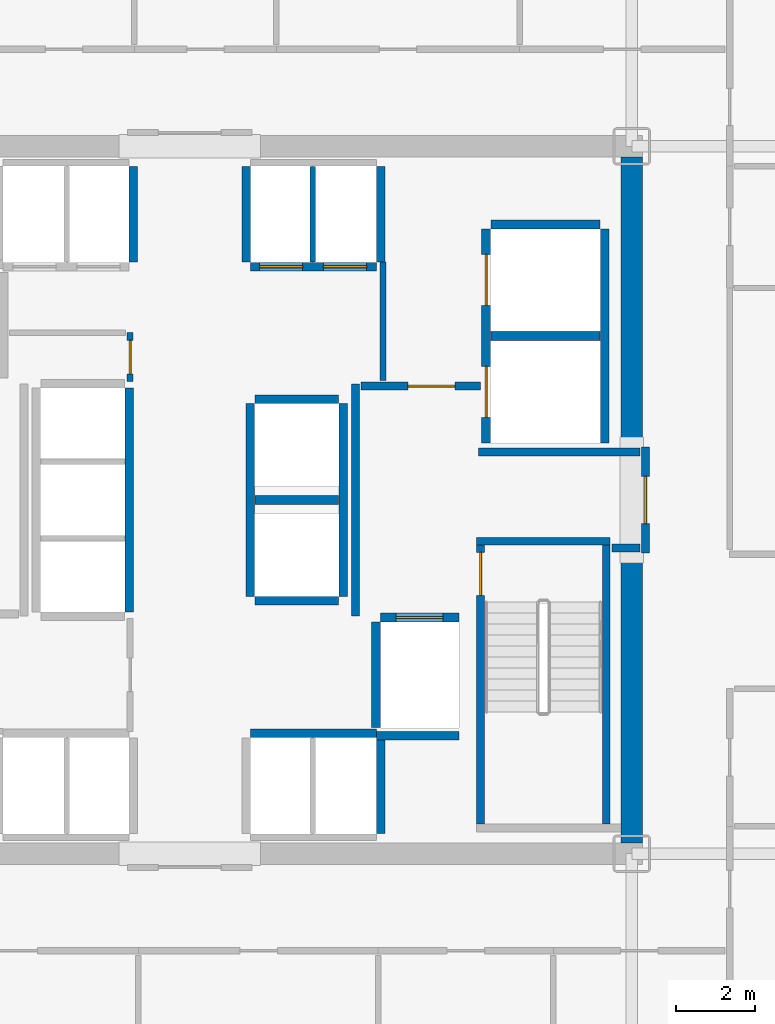
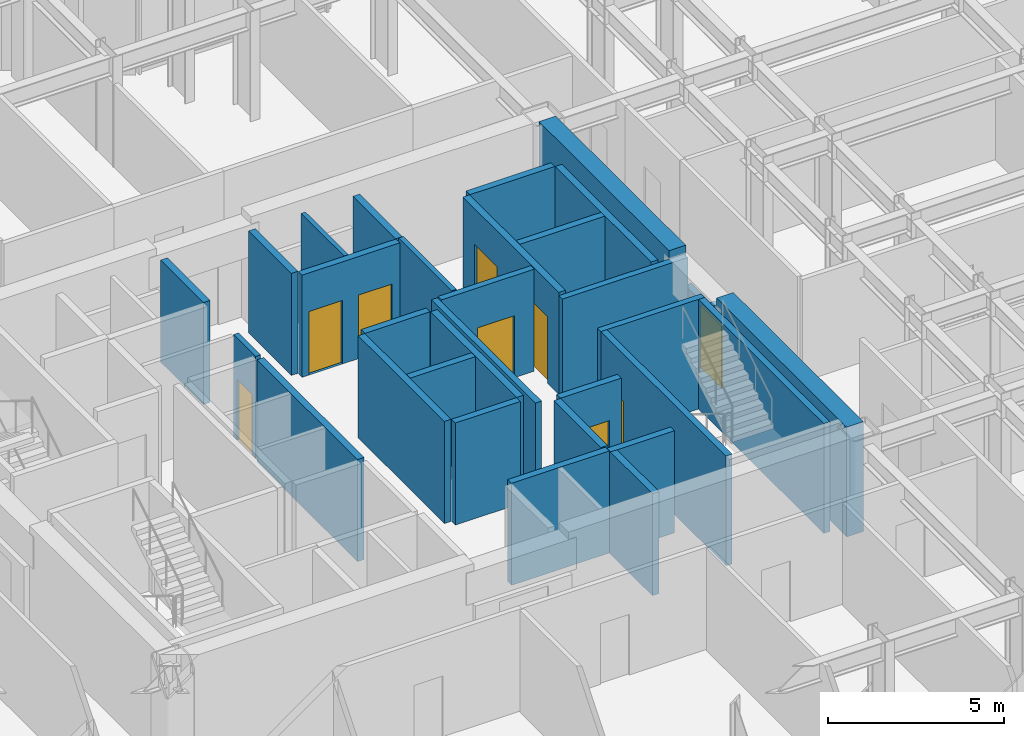
# One storey, part 22 of 26: 32 walls, 9 doors, 9 openings.
"""IFC4 building model written with IfcOpenShell, lengths in metres."""

from ifc_helpers import new_model, si_unit, direction, frame, frame_2d, origin, place, context, subcontext, project, spatial, rectangle, extrude, source, transform, mapped, material, layer, layer_set, type_object, element, fill, save


model = new_model("IFC4")

# Units and contexts
model_context = context("Model", 3, precision=1e-05, world=origin(), true_north=direction((0.0, 1.0)))
body_context = subcontext(model_context, "Body", "Model", "MODEL_VIEW")
ifc_project = project(units=[si_unit("LENGTHUNIT", "METRE"), si_unit("AREAUNIT", "SQUARE_METRE"), si_unit("VOLUMEUNIT", "CUBIC_METRE"), si_unit("PLANEANGLEUNIT", "RADIAN"), si_unit("MASSUNIT", "GRAM", prefix="KILO")], contexts=[model_context])

# Site, building, storey
site_placement = place(None, origin())
site = spatial("IfcSite", under=ifc_project, at=site_placement, CompositionType="ELEMENT")
building_placement = place(site_placement, origin())
building = spatial("IfcBuilding", under=site, at=building_placement, Name="Nefas-Gora Pilgrimage Tower", CompositionType="ELEMENT")
storey_placement = place(building_placement, frame((0.0, 0.0, 128.800048828125)))
storey = spatial("IfcBuildingStorey", under=building, at=storey_placement, Name="L31", CompositionType="ELEMENT", Elevation=128.800048828125)

# Walls
ifc_material_1 = material(Name="Concrete C60/75", Category="concrete")
ifc_layer_1 = layer(ifc_material_1, 0.550048828125)
ifc_layer_set_1 = layer_set([ifc_layer_1], Name="Concrete C60/75")
wall_type_1 = type_object("IfcWallType", Name="SW-CORE-550", PredefinedType="SHEAR", material=ifc_layer_set_1)
shared_shape_1 = source(origin(), body_context, "Body", "SweptSolid", [
    extrude(rectangle(XDim=7.375, YDim=0.550048828125, at=frame_2d((3.6875, 0.0))), origin(), (0.0, 0.0, 1.0), 3.800048828125),
])
for number, where, z_axis, x_axis, name in (
    (1, (11.25, -8.72509765625, 0.0), (0.0, 0.0, 1.0), (0.0, 1.0, 0.0), "L31 Core Shear Wall E-South"),
    (2, (11.25, 1.35009765625, 0.0), (0.0, 0.0, 1.0), (0.0, 1.0, 0.0), "L31 Core Shear Wall E-North"),
):
    element("IfcWall", number, at=place(storey_placement, frame(where, z_axis=z_axis, x_axis=x_axis)), inside=storey, type_object=wall_type_1, Name=name, PredefinedType="SHEAR", context=body_context, shape_type="MappedRepresentation", body=[
        mapped(shared_shape_1, transform((0.0, 0.0, 0.0), x_axis=(1.0, 0.0, 0.0), y_axis=(0.0, 1.0, 0.0), z_axis=(0.0, 0.0, 1.0), scale=1.0)),
    ])
ifc_material_2 = material(Name="Concrete C45/55", Category="concrete")
ifc_layer_2 = layer(ifc_material_2, 0.199951171875)
ifc_layer_set_2 = layer_set([ifc_layer_2], Name="Concrete C45/55")
wall_type_2 = type_object("IfcWallType", Name="IW-STAIR-200", PredefinedType="SOLIDWALL", material=ifc_layer_set_2)
shared_shape_2 = source(origin(), body_context, "Body", "SweptSolid", [
    extrude(rectangle(XDim=3.39990234375, YDim=0.199951171875, at=frame_2d((1.699951171875, 0.0))), origin(), (0.0, 0.0, 1.0), 3.800048828125),
])
wall_1_placement = place(storey_placement, frame((7.300048828125, -1.050048828125, 0.0), z_axis=(0.0, 0.0, 1.0), x_axis=(1.0, 0.0, 0.0)))
element("IfcWall", 3, at=wall_1_placement, inside=storey, type_object=wall_type_2, Name="L31 Stairwell Shear Wall ST-02-near", PredefinedType="SOLIDWALL", context=body_context, shape_type="MappedRepresentation", body=[
    mapped(shared_shape_2, transform((0.0, 0.0, 0.0), x_axis=(1.0, 0.0, 0.0), y_axis=(0.0, 1.0, 0.0), z_axis=(0.0, 0.0, 1.0), scale=1.0)),
])

# Wall, opening, door
shared_shape_3 = source(origin(), body_context, "Body", "SweptSolid", [
    extrude(rectangle(XDim=7.10009765625, YDim=0.199951171875, at=frame_2d((3.550048828125, 0.0))), origin(), (0.0, 0.0, 1.0), 3.800048828125),
])
wall_2_placement = place(storey_placement, frame((7.39990234375, -1.14990234375, 0.0), z_axis=(0.0, 0.0, 1.0), x_axis=(0.0, -1.0, 0.0)))
wall_2 = element("IfcWall", 4, at=wall_2_placement, inside=storey, type_object=wall_type_2, Name="L31 Stairwell Shear Wall ST-02-left", PredefinedType="SOLIDWALL", context=body_context, shape_type="MappedRepresentation", body=[
    mapped(shared_shape_3, transform((0.0, 0.0, 0.0), x_axis=(1.0, 0.0, 0.0), y_axis=(0.0, 1.0, 0.0), z_axis=(0.0, 0.0, 1.0), scale=1.0)),
])
opening_1_placement = place(wall_2_placement, frame((0.179931640625, 0.0, 0.0)))
opening_1 = element("IfcOpeningElement", 5, at=opening_1_placement, cuts=wall_2, Name="Opening ID-ST1", PredefinedType="OPENING", context=body_context, shape_type="SweptSolid", body=[
    extrude(rectangle(XDim=1.10009765625, YDim=2.14990234375, at=frame_2d((0.550048828125, 1.074951171875))), frame((0.0, 0.10986328125, 0.0), z_axis=(0.0, -1.0, 0.0), x_axis=(1.0, 0.0, 0.0)), (0.0, 0.0, 1.0), 0.219970703125),
])
ifc_material_3 = material(Name="Painted galvanised steel fire stair door", Category="steel")
door_type_1 = type_object("IfcDoorType", Name="DR-INT-STAIR-1100", OperationType="NOTDEFINED", PredefinedType="DOOR", material=ifc_material_3)
shared_shape_4 = source(origin(), body_context, "Body", "SweptSolid", [
    extrude(rectangle(XDim=1.10009765625, YDim=2.14990234375, at=frame_2d((0.550048828125, 1.074951171875))), frame((0.0, 0.02490234375, 0.0), z_axis=(0.0, -1.0, 0.0), x_axis=(1.0, 0.0, 0.0)), (0.0, 0.0, 1.0), 0.050048828125),
])
door_1_placement = place(opening_1_placement, origin())
door_1 = element("IfcDoor", 6, at=door_1_placement, inside=storey, type_object=door_type_1, Name="L31 Protected Exit Stair Door ST-02", OperationType="SINGLE_SWING_RIGHT", OverallHeight=2.14990234375, OverallWidth=1.10009765625, PredefinedType="DOOR", context=body_context, shape_type="MappedRepresentation", body=[
    mapped(shared_shape_4, transform((0.0, 0.0, 0.0), x_axis=(1.0, 0.0, 0.0), y_axis=(0.0, 1.0, 0.0), z_axis=(0.0, 0.0, 1.0), scale=1.0)),
])
fill(opening_1, door_1)

# Wall
wall_3_placement = place(storey_placement, frame((10.60009765625, -1.14990234375, 0.0), z_axis=(0.0, 0.0, 1.0), x_axis=(0.0, -1.0, 0.0)))
element("IfcWall", 7, at=wall_3_placement, inside=storey, type_object=wall_type_2, Name="L31 Stairwell Shear Wall ST-02-right", PredefinedType="SOLIDWALL", context=body_context, shape_type="MappedRepresentation", body=[
    mapped(shared_shape_3, transform((0.0, 0.0, 0.0), x_axis=(1.0, 0.0, 0.0), y_axis=(0.0, 1.0, 0.0), z_axis=(0.0, 0.0, 1.0), scale=1.0)),
])

# Wall, opening, door
ifc_material_4 = material(Name="Concrete C40/50", Category="concrete")
ifc_layer_3 = layer(ifc_material_4, 0.219970703125)
ifc_layer_set_3 = layer_set([ifc_layer_3], Name="Concrete C40/50")
wall_type_3 = type_object("IfcWallType", Name="IW-SHAFT-220", PredefinedType="SOLIDWALL", material=ifc_layer_set_3)
shared_shape_5 = source(origin(), body_context, "Body", "SweptSolid", [
    extrude(rectangle(XDim=2.0, YDim=0.219970703125, at=frame_2d((1.0, 0.0))), origin(), (0.0, 0.0, 1.0), 3.534912109375),
])
wall_4_placement = place(storey_placement, frame((6.85009765625, -2.989990234375, 0.0), z_axis=(0.0, 0.0, 1.0), x_axis=(-1.0, 0.0, 0.0)))
wall_4 = element("IfcWall", 8, at=wall_4_placement, inside=storey, type_object=wall_type_3, Name="L31 Hoistway Wall FFL-02-N", PredefinedType="SOLIDWALL", context=body_context, shape_type="MappedRepresentation", body=[
    mapped(shared_shape_5, transform((0.0, 0.0, 0.0), x_axis=(1.0, 0.0, 0.0), y_axis=(0.0, 1.0, 0.0), z_axis=(0.0, 0.0, 1.0), scale=1.0)),
])
opening_2_placement = place(wall_4_placement, frame((0.39990234375, 0.0, 0.0)))
opening_2 = element("IfcOpeningElement", 9, at=opening_2_placement, cuts=wall_4, Name="Opening LD-FF", PredefinedType="OPENING", context=body_context, shape_type="SweptSolid", body=[
    extrude(rectangle(XDim=1.199951171875, YDim=2.199951171875, at=frame_2d((0.60009765625, 1.10009765625))), frame((0.0, 0.119873046875, 0.0), z_axis=(0.0, -1.0, 0.0), x_axis=(1.0, 0.0, 0.0)), (0.0, 0.0, 1.0), 0.239990234375),
])
ifc_material_5 = material(Name="Fire-service sliding lift landing door")
door_type_2 = type_object("IfcDoorType", Name="DR-LIFT-FSAE-1200", OperationType="SLIDING_TO_LEFT", PredefinedType="DOOR", material=ifc_material_5)
shared_shape_6 = source(origin(), body_context, "Body", "SweptSolid", [
    extrude(rectangle(XDim=1.199951171875, YDim=2.199951171875, at=frame_2d((0.60009765625, 1.10009765625))), frame((0.0, 0.02490234375, 0.0), z_axis=(0.0, -1.0, 0.0), x_axis=(1.0, 0.0, 0.0)), (0.0, 0.0, 1.0), 0.050048828125),
])
door_2_placement = place(opening_2_placement, origin())
door_2 = element("IfcDoor", 10, at=door_2_placement, inside=storey, type_object=door_type_2, Name="L31 Sliding Lift Landing Door FFL-02", OperationType="SLIDING_TO_LEFT", OverallHeight=2.199951171875, OverallWidth=1.199951171875, PredefinedType="DOOR", context=body_context, shape_type="MappedRepresentation", body=[
    mapped(shared_shape_6, transform((0.0, 0.0, 0.0), x_axis=(1.0, 0.0, 0.0), y_axis=(0.0, 1.0, 0.0), z_axis=(0.0, 0.0, 1.0), scale=1.0)),
])
fill(opening_2, door_2)

# Wall
shared_shape_7 = source(origin(), body_context, "Body", "SweptSolid", [
    extrude(rectangle(XDim=2.679931640625, YDim=0.219970703125, at=frame_2d((1.33984375, 0.0))), origin(), (0.0, 0.0, 1.0), 3.534912109375),
])
wall_5_placement = place(storey_placement, frame((4.739990234375, -3.110107421875, 0.0), z_axis=(0.0, 0.0, 1.0), x_axis=(0.0, -1.0, 0.0)))
element("IfcWall", 11, at=wall_5_placement, inside=storey, type_object=wall_type_3, Name="L31 Hoistway Wall FFL-02-W", PredefinedType="SOLIDWALL", context=body_context, shape_type="MappedRepresentation", body=[
    mapped(shared_shape_7, transform((0.0, 0.0, 0.0), x_axis=(1.0, 0.0, 0.0), y_axis=(0.0, 1.0, 0.0), z_axis=(0.0, 0.0, 1.0), scale=1.0)),
])

# Wall, openings, doors
shared_shape_8 = source(origin(), body_context, "Body", "SweptSolid", [
    extrude(rectangle(XDim=5.449951171875, YDim=0.219970703125, at=frame_2d((2.72509765625, 0.0))), origin(), (0.0, 0.0, 1.0), 3.534912109375),
])
wall_6_placement = place(storey_placement, frame((7.5400390625, 6.89990234375, 0.0), z_axis=(0.0, 0.0, 1.0), x_axis=(0.0, -1.0, 0.0)))
wall_6 = element("IfcWall", 12, at=wall_6_placement, inside=storey, type_object=wall_type_3, Name="L31 Hoistway Wall SL-01-02-W", PredefinedType="SOLIDWALL", context=body_context, shape_type="MappedRepresentation", body=[
    mapped(shared_shape_8, transform((0.0, 0.0, 0.0), x_axis=(1.0, 0.0, 0.0), y_axis=(0.0, 1.0, 0.0), z_axis=(0.0, 0.0, 1.0), scale=1.0)),
])
opening_3_placement = place(wall_6_placement, frame((3.5, 0.0, 0.0)))
opening_3 = element("IfcOpeningElement", 13, at=opening_3_placement, cuts=wall_6, Name="Opening LD-SV", PredefinedType="OPENING", context=body_context, shape_type="SweptSolid", body=[
    extrude(rectangle(XDim=1.300048828125, YDim=2.300048828125, at=frame_2d((0.64990234375, 1.14990234375))), frame((0.0, 0.119873046875, 0.0), z_axis=(0.0, -1.0, 0.0), x_axis=(1.0, 0.0, 0.0)), (0.0, 0.0, 1.0), 0.239990234375),
])
opening_4_placement = place(wall_6_placement, frame((0.64990234375, 0.0, 0.0)))
opening_4 = element("IfcOpeningElement", 14, at=opening_4_placement, cuts=wall_6, Name="Opening LD-SV", PredefinedType="OPENING", context=body_context, shape_type="SweptSolid", body=[
    extrude(rectangle(XDim=1.300048828125, YDim=2.300048828125, at=frame_2d((0.64990234375, 1.14990234375))), frame((0.0, 0.119873046875, 0.0), z_axis=(0.0, -1.0, 0.0), x_axis=(1.0, 0.0, 0.0)), (0.0, 0.0, 1.0), 0.239990234375),
])
ifc_material_6 = material(Name="Heavy goods sliding lift landing door")
door_type_3 = type_object("IfcDoorType", Name="DR-LIFT-SERV-1300", OperationType="SLIDING_TO_RIGHT", PredefinedType="DOOR", material=ifc_material_6)
shared_shape_9 = source(origin(), body_context, "Body", "SweptSolid", [
    extrude(rectangle(XDim=1.300048828125, YDim=2.300048828125, at=frame_2d((0.64990234375, 1.14990234375))), frame((0.0, 0.02490234375, 0.0), z_axis=(0.0, -1.0, 0.0), x_axis=(1.0, 0.0, 0.0)), (0.0, 0.0, 1.0), 0.050048828125),
])
door_3_placement = place(opening_3_placement, origin())
door_3 = element("IfcDoor", 15, at=door_3_placement, inside=storey, type_object=door_type_3, Name="L31 Sliding Lift Landing Door SL-01", OperationType="SLIDING_TO_RIGHT", OverallHeight=2.300048828125, OverallWidth=1.300048828125, PredefinedType="DOOR", context=body_context, shape_type="MappedRepresentation", body=[
    mapped(shared_shape_9, transform((0.0, 0.0, 0.0), x_axis=(1.0, 0.0, 0.0), y_axis=(0.0, 1.0, 0.0), z_axis=(0.0, 0.0, 1.0), scale=1.0)),
])
fill(opening_3, door_3)
door_4_placement = place(opening_4_placement, origin())
door_4 = element("IfcDoor", 16, at=door_4_placement, inside=storey, type_object=door_type_3, Name="L31 Sliding Lift Landing Door SL-02", OperationType="SLIDING_TO_RIGHT", OverallHeight=2.300048828125, OverallWidth=1.300048828125, PredefinedType="DOOR", context=body_context, shape_type="MappedRepresentation", body=[
    mapped(shared_shape_9, transform((0.0, 0.0, 0.0), x_axis=(1.0, 0.0, 0.0), y_axis=(0.0, 1.0, 0.0), z_axis=(0.0, 0.0, 1.0), scale=1.0)),
])
fill(opening_4, door_4)

# Walls
wall_7_placement = place(storey_placement, frame((10.56005859375, 1.449951171875, 0.0), z_axis=(0.0, 0.0, 1.0), x_axis=(0.0, 1.0, 0.0)))
element("IfcWall", 17, at=wall_7_placement, inside=storey, type_object=wall_type_3, Name="L31 Hoistway Wall SL-01-02-E", PredefinedType="SOLIDWALL", context=body_context, shape_type="MappedRepresentation", body=[
    mapped(shared_shape_8, transform((0.0, 0.0, 0.0), x_axis=(1.0, 0.0, 0.0), y_axis=(0.0, 1.0, 0.0), z_axis=(0.0, 0.0, 1.0), scale=1.0)),
])
shared_shape_10 = source(origin(), body_context, "Body", "SweptSolid", [
    extrude(rectangle(XDim=2.780029296875, YDim=0.219970703125, at=frame_2d((1.39013671875, 0.0))), origin(), (0.0, 0.0, 1.0), 3.534912109375),
])
for number, where, z_axis, x_axis, name in (
    (18, (7.659912109375, 4.175048828125, 0.0), (0.0, 0.0, 1.0), (1.0, 0.0, 0.0), "L31 Hoistway Wall SL-01-02-DIV"),
    (19, (10.43994140625, 7.010009765625, 0.0), (0.0, 0.0, 1.0), (-1.0, 0.0, 0.0), "L31 Hoistway Wall SL-02-N"),
):
    element("IfcWall", number, at=place(storey_placement, frame(where, z_axis=z_axis, x_axis=x_axis)), inside=storey, type_object=wall_type_3, Name=name, PredefinedType="SOLIDWALL", context=body_context, shape_type="MappedRepresentation", body=[
        mapped(shared_shape_10, transform((0.0, 0.0, 0.0), x_axis=(1.0, 0.0, 0.0), y_axis=(0.0, 1.0, 0.0), z_axis=(0.0, 0.0, 1.0), scale=1.0)),
    ])

# Wall, openings, doors
shared_shape_11 = source(origin(), body_context, "Body", "SweptSolid", [
    extrude(rectangle(XDim=3.199951171875, YDim=0.219970703125, at=frame_2d((1.60009765625, 0.0))), origin(), (0.0, 0.0, 1.0), 3.534912109375),
])
wall_8_placement = place(storey_placement, frame((1.550048828125, 5.93994140625, 0.0), z_axis=(0.0, 0.0, 1.0), x_axis=(1.0, 0.0, 0.0)))
wall_8 = element("IfcWall", 20, at=wall_8_placement, inside=storey, type_object=wall_type_3, Name="L31 Hoistway Wall PL1-E-S", PredefinedType="SOLIDWALL", context=body_context, shape_type="MappedRepresentation", body=[
    mapped(shared_shape_11, transform((0.0, 0.0, 0.0), x_axis=(1.0, 0.0, 0.0), y_axis=(0.0, 1.0, 0.0), z_axis=(0.0, 0.0, 1.0), scale=1.0)),
])
opening_5_placement = place(wall_8_placement, frame((0.22509765625, 0.0, 0.0)))
opening_5 = element("IfcOpeningElement", 21, at=opening_5_placement, cuts=wall_8, Name="Opening LD-01", PredefinedType="OPENING", context=body_context, shape_type="SweptSolid", body=[
    extrude(rectangle(XDim=1.10009765625, YDim=2.199951171875, at=frame_2d((0.550048828125, 1.10009765625))), frame((0.0, 0.119873046875, 0.0), z_axis=(0.0, -1.0, 0.0), x_axis=(1.0, 0.0, 0.0)), (0.0, 0.0, 1.0), 0.239990234375),
])
opening_6_placement = place(wall_8_placement, frame((1.85009765625, 0.0, 0.0)))
opening_6 = element("IfcOpeningElement", 22, at=opening_6_placement, cuts=wall_8, Name="Opening LD-01", PredefinedType="OPENING", context=body_context, shape_type="SweptSolid", body=[
    extrude(rectangle(XDim=1.10009765625, YDim=2.199951171875, at=frame_2d((0.550048828125, 1.10009765625))), frame((0.0, 0.119873046875, 0.0), z_axis=(0.0, -1.0, 0.0), x_axis=(1.0, 0.0, 0.0)), (0.0, 0.0, 1.0), 0.239990234375),
])
ifc_material_7 = material(Name="Brushed stainless sliding lift landing door")
door_type_4 = type_object("IfcDoorType", Name="DR-LIFT-PASS-1100", OperationType="DOUBLE_DOOR_SLIDING", PredefinedType="DOOR", material=ifc_material_7)
shared_shape_12 = source(origin(), body_context, "Body", "SweptSolid", [
    extrude(rectangle(XDim=1.10009765625, YDim=2.199951171875, at=frame_2d((0.550048828125, 1.10009765625))), frame((0.0, 0.02490234375, 0.0), z_axis=(0.0, -1.0, 0.0), x_axis=(1.0, 0.0, 0.0)), (0.0, 0.0, 1.0), 0.050048828125),
])
door_5_placement = place(opening_5_placement, origin())
door_5 = element("IfcDoor", 23, at=door_5_placement, inside=storey, type_object=door_type_4, Name="L31 Sliding Lift Landing Door PL1-03", OperationType="DOUBLE_DOOR_SLIDING", OverallHeight=2.199951171875, OverallWidth=1.10009765625, PredefinedType="DOOR", context=body_context, shape_type="MappedRepresentation", body=[
    mapped(shared_shape_12, transform((0.0, 0.0, 0.0), x_axis=(1.0, 0.0, 0.0), y_axis=(0.0, 1.0, 0.0), z_axis=(0.0, 0.0, 1.0), scale=1.0)),
])
fill(opening_5, door_5)
door_6_placement = place(opening_6_placement, origin())
door_6 = element("IfcDoor", 24, at=door_6_placement, inside=storey, type_object=door_type_4, Name="L31 Sliding Lift Landing Door PL1-04", OperationType="DOUBLE_DOOR_SLIDING", OverallHeight=2.199951171875, OverallWidth=1.10009765625, PredefinedType="DOOR", context=body_context, shape_type="MappedRepresentation", body=[
    mapped(shared_shape_12, transform((0.0, 0.0, 0.0), x_axis=(1.0, 0.0, 0.0), y_axis=(0.0, 1.0, 0.0), z_axis=(0.0, 0.0, 1.0), scale=1.0)),
])
fill(opening_6, door_6)

# Walls
wall_9_placement = place(storey_placement, frame((4.75, -5.93994140625, 0.0), z_axis=(0.0, 0.0, 1.0), x_axis=(-1.0, 0.0, 0.0)))
element("IfcWall", 25, at=wall_9_placement, inside=storey, type_object=wall_type_3, Name="L31 Hoistway Wall PL2-E-N", PredefinedType="SOLIDWALL", context=body_context, shape_type="MappedRepresentation", body=[
    mapped(shared_shape_11, transform((0.0, 0.0, 0.0), x_axis=(1.0, 0.0, 0.0), y_axis=(0.0, 1.0, 0.0), z_axis=(0.0, 0.0, 1.0), scale=1.0)),
])
shared_shape_13 = source(origin(), body_context, "Body", "SweptSolid", [
    extrude(rectangle(XDim=2.429931640625, YDim=0.219970703125, at=frame_2d((1.21484375, 0.0))), origin(), (0.0, 0.0, 1.0), 3.534912109375),
])
for number, where, z_axis, x_axis, name in (
    (26, (-1.43994140625, 6.06005859375, 0.0), (0.0, 0.0, 1.0), (0.0, 1.0, 0.0), "L31 Hoistway Wall PL1-W-E"),
    (27, (1.43994140625, 8.489990234375, 0.0), (0.0, 0.0, 1.0), (0.0, -1.0, 0.0), "L31 Hoistway Wall PL1-E-W"),
    (28, (4.860107421875, 6.06005859375, 0.0), (0.0, 0.0, 1.0), (0.0, 1.0, 0.0), "L31 Hoistway Wall PL1-E-E"),
    (29, (4.860107421875, -8.489990234375, 0.0), (0.0, 0.0, 1.0), (0.0, 1.0, 0.0), "L31 Hoistway Wall PL2-E-E"),
):
    element("IfcWall", number, at=place(storey_placement, frame(where, z_axis=z_axis, x_axis=x_axis)), inside=storey, type_object=wall_type_3, Name=name, PredefinedType="SOLIDWALL", context=body_context, shape_type="MappedRepresentation", body=[
        mapped(shared_shape_13, transform((0.0, 0.0, 0.0), x_axis=(1.0, 0.0, 0.0), y_axis=(0.0, 1.0, 0.0), z_axis=(0.0, 0.0, 1.0), scale=1.0)),
    ])
ifc_material_8 = material(Name="Gypsum twin-stud partition")
ifc_layer_4 = layer(ifc_material_8, 0.139892578125)
ifc_layer_set_4 = layer_set([ifc_layer_4], Name="Gypsum twin-stud partition")
wall_type_4 = type_object("IfcWallType", Name="IW-UNIT-140", PredefinedType="PARTITIONING", material=ifc_layer_set_4)
shared_shape_14 = source(origin(), body_context, "Body", "SweptSolid", [
    extrude(rectangle(XDim=2.429931640625, YDim=0.139892578125, at=frame_2d((1.21484375, 0.0))), origin(), (0.0, 0.0, 1.0), 3.534912109375),
])
wall_10_placement = place(storey_placement, frame((3.125, 6.06005859375, 0.0), z_axis=(0.0, 0.0, 1.0), x_axis=(0.0, 1.0, 0.0)))
element("IfcWall", 30, at=wall_10_placement, inside=storey, type_object=wall_type_4, Name="L31 Hoistway Wall PL1-E-DIV", PredefinedType="PARTITIONING", context=body_context, shape_type="MappedRepresentation", body=[
    mapped(shared_shape_14, transform((0.0, 0.0, 0.0), x_axis=(1.0, 0.0, 0.0), y_axis=(0.0, 1.0, 0.0), z_axis=(0.0, 0.0, 1.0), scale=1.0)),
])
shared_shape_15 = source(origin(), body_context, "Body", "SweptSolid", [
    extrude(rectangle(XDim=5.7001953125, YDim=0.219970703125, at=frame_2d((2.85009765625, 0.0))), origin(), (0.0, 0.0, 1.0), 3.534912109375),
])
wall_11_placement = place(storey_placement, frame((-1.5400390625, -2.85009765625, 0.0), z_axis=(0.0, 0.0, 1.0), x_axis=(0.0, 1.0, 0.0)))
element("IfcWall", 31, at=wall_11_placement, inside=storey, type_object=wall_type_3, Name="L31 Hoistway Wall PL3-01-03-E", PredefinedType="SOLIDWALL", context=body_context, shape_type="MappedRepresentation", body=[
    mapped(shared_shape_15, transform((0.0, 0.0, 0.0), x_axis=(1.0, 0.0, 0.0), y_axis=(0.0, 1.0, 0.0), z_axis=(0.0, 0.0, 1.0), scale=1.0)),
])
shared_shape_16 = source(origin(), body_context, "Body", "SweptSolid", [
    extrude(rectangle(XDim=2.130126953125, YDim=0.219970703125, at=frame_2d((1.06494140625, 0.0))), origin(), (0.0, 0.0, 1.0), 3.534912109375),
])
for number, where, z_axis, x_axis, name in (
    (32, (1.659912109375, -2.56005859375, 0.0), (0.0, 0.0, 1.0), (1.0, 0.0, 0.0), "L31 Hoistway Wall OBS-01-S"),
    (33, (1.659912109375, 0.0, 0.0), (0.0, 0.0, 1.0), (1.0, 0.0, 0.0), "L31 Hoistway Wall OBS-01-02-DIV"),
    (34, (3.7900390625, 2.56005859375, 0.0), (0.0, 0.0, 1.0), (-1.0, 0.0, 0.0), "L31 Hoistway Wall OBS-02-N"),
):
    element("IfcWall", number, at=place(storey_placement, frame(where, z_axis=z_axis, x_axis=x_axis)), inside=storey, type_object=wall_type_3, Name=name, PredefinedType="SOLIDWALL", context=body_context, shape_type="MappedRepresentation", body=[
        mapped(shared_shape_16, transform((0.0, 0.0, 0.0), x_axis=(1.0, 0.0, 0.0), y_axis=(0.0, 1.0, 0.0), z_axis=(0.0, 0.0, 1.0), scale=1.0)),
    ])
shared_shape_17 = source(origin(), body_context, "Body", "SweptSolid", [
    extrude(rectangle(XDim=4.89990234375, YDim=0.219970703125, at=frame_2d((2.449951171875, 0.0))), origin(), (0.0, 0.0, 1.0), 3.534912109375),
])
for number, where, z_axis, x_axis, name in (
    (35, (1.5400390625, 2.449951171875, 0.0), (0.0, 0.0, 1.0), (0.0, -1.0, 0.0), "L31 Hoistway Wall OBS-01-02-W"),
    (36, (3.909912109375, -2.449951171875, 0.0), (0.0, 0.0, 1.0), (0.0, 1.0, 0.0), "L31 Hoistway Wall OBS-01-02-E"),
):
    element("IfcWall", number, at=place(storey_placement, frame(where, z_axis=z_axis, x_axis=x_axis)), inside=storey, type_object=wall_type_3, Name=name, PredefinedType="SOLIDWALL", context=body_context, shape_type="MappedRepresentation", body=[
        mapped(shared_shape_17, transform((0.0, 0.0, 0.0), x_axis=(1.0, 0.0, 0.0), y_axis=(0.0, 1.0, 0.0), z_axis=(0.0, 0.0, 1.0), scale=1.0)),
    ])
shared_shape_18 = source(origin(), body_context, "Body", "SweptSolid", [
    extrude(rectangle(XDim=2.09521484375, YDim=0.219970703125, at=frame_2d((1.047607421875, 0.0))), origin(), (0.0, 0.0, 1.0), 3.534912109375),
])
wall_12_placement = place(storey_placement, frame((4.7548828125, -6.0, 0.0), z_axis=(0.0, 0.0, 1.0), x_axis=(1.0, 0.0, 0.0)))
element("IfcWall", 37, at=wall_12_placement, inside=storey, type_object=wall_type_3, Name="L31 Riser Shaft Wall 2", PredefinedType="SOLIDWALL", context=body_context, shape_type="MappedRepresentation", body=[
    mapped(shared_shape_18, transform((0.0, 0.0, 0.0), x_axis=(1.0, 0.0, 0.0), y_axis=(0.0, 1.0, 0.0), z_axis=(0.0, 0.0, 1.0), scale=1.0)),
])

# Wall, opening, door
ifc_material_9 = material(Name="Gypsum fire-rated shaftwall")
ifc_layer_5 = layer(ifc_material_9, 0.199951171875)
ifc_layer_set_5 = layer_set([ifc_layer_5], Name="Gypsum fire-rated shaftwall")
wall_type_5 = type_object("IfcWallType", Name="IW-FFLOB-200", PredefinedType="PARTITIONING", material=ifc_layer_set_5)
shared_shape_19 = source(origin(), body_context, "Body", "SweptSolid", [
    extrude(rectangle(XDim=2.7001953125, YDim=0.199951171875, at=frame_2d((1.35009765625, 0.0))), origin(), (0.0, 0.0, 1.0), 2.425048828125),
])
wall_13_placement = place(storey_placement, frame((11.60009765625, -1.35009765625, 0.0), z_axis=(0.0, 0.0, 1.0), x_axis=(0.0, 1.0, 0.0)))
wall_13 = element("IfcWall", 38, at=wall_13_placement, inside=storey, type_object=wall_type_5, Name="L31 FF Lobby East Portal Wall 8", PredefinedType="PARTITIONING", context=body_context, shape_type="MappedRepresentation", body=[
    mapped(shared_shape_19, transform((0.0, 0.0, 0.0), x_axis=(1.0, 0.0, 0.0), y_axis=(0.0, 1.0, 0.0), z_axis=(0.0, 0.0, 1.0), scale=1.0)),
])
opening_7_placement = place(wall_13_placement, frame((0.75, 0.0, 0.0)))
opening_7 = element("IfcOpeningElement", 39, at=opening_7_placement, cuts=wall_13, Name="Opening ID-FF1", PredefinedType="OPENING", context=body_context, shape_type="SweptSolid", body=[
    extrude(rectangle(XDim=1.199951171875, YDim=2.14990234375, at=frame_2d((0.60009765625, 1.074951171875))), frame((0.0, 0.10986328125, 0.0), z_axis=(0.0, -1.0, 0.0), x_axis=(1.0, 0.0, 0.0)), (0.0, 0.0, 1.0), 0.219970703125),
])
ifc_material_10 = material(Name="Smoke-sealed steel firefighting lobby door", Category="steel")
door_type_5 = type_object("IfcDoorType", Name="DR-INT-FFLOB-1200", OperationType="NOTDEFINED", PredefinedType="DOOR", material=ifc_material_10)
shared_shape_20 = source(origin(), body_context, "Body", "SweptSolid", [
    extrude(rectangle(XDim=1.199951171875, YDim=2.14990234375, at=frame_2d((0.60009765625, 1.074951171875))), frame((0.0, 0.02490234375, 0.0), z_axis=(0.0, -1.0, 0.0), x_axis=(1.0, 0.0, 0.0)), (0.0, 0.0, 1.0), 0.050048828125),
])
door_7_placement = place(opening_7_placement, origin())
door_7 = element("IfcDoor", 40, at=door_7_placement, inside=storey, type_object=door_type_5, Name="L31 FF Lobby East Portal Door 2", OperationType="SINGLE_SWING_RIGHT", OverallHeight=2.14990234375, OverallWidth=1.199951171875, PredefinedType="DOOR", context=body_context, shape_type="MappedRepresentation", body=[
    mapped(shared_shape_20, transform((0.0, 0.0, 0.0), x_axis=(1.0, 0.0, 0.0), y_axis=(0.0, 1.0, 0.0), z_axis=(0.0, 0.0, 1.0), scale=1.0)),
])
fill(opening_7, door_7)

# Walls
shared_shape_21 = source(origin(), body_context, "Body", "SweptSolid", [
    extrude(rectangle(XDim=5.89990234375, YDim=0.199951171875, at=frame_2d((2.949951171875, 0.0))), origin(), (0.0, 0.0, 1.0), 3.534912109375),
])
wall_14_placement = place(storey_placement, frame((4.219970703125, -2.949951171875, 0.0), z_axis=(0.0, 0.0, 1.0), x_axis=(0.0, 1.0, 0.0)))
element("IfcWall", 41, at=wall_14_placement, inside=storey, type_object=wall_type_5, Name="L31 FF Lobby East Inner Wall Wall 9", PredefinedType="PARTITIONING", context=body_context, shape_type="MappedRepresentation", body=[
    mapped(shared_shape_21, transform((0.0, 0.0, 0.0), x_axis=(1.0, 0.0, 0.0), y_axis=(0.0, 1.0, 0.0), z_axis=(0.0, 0.0, 1.0), scale=1.0)),
])
shared_shape_22 = source(origin(), body_context, "Body", "SweptSolid", [
    extrude(rectangle(XDim=0.719970703125, YDim=0.199951171875, at=frame_2d((0.35986328125, 0.0))), origin(), (0.0, 0.0, 1.0), 3.534912109375),
])
wall_15_placement = place(storey_placement, frame((10.739990234375, -1.219970703125, 0.0), z_axis=(0.0, 0.0, 1.0), x_axis=(1.0, 0.0, 0.0)))
element("IfcWall", 42, at=wall_15_placement, inside=storey, type_object=wall_type_5, Name="L31 FF Lobby East Throat S Wall 12", PredefinedType="PARTITIONING", context=body_context, shape_type="MappedRepresentation", body=[
    mapped(shared_shape_22, transform((0.0, 0.0, 0.0), x_axis=(1.0, 0.0, 0.0), y_axis=(0.0, 1.0, 0.0), z_axis=(0.0, 0.0, 1.0), scale=1.0)),
])

# Wall, opening, door
shared_shape_23 = source(origin(), body_context, "Body", "SweptSolid", [
    extrude(rectangle(XDim=3.039794921875, YDim=0.199951171875, at=frame_2d((1.52001953125, 0.0))), origin(), (0.0, 0.0, 1.0), 3.534912109375),
])
wall_16_placement = place(storey_placement, frame((4.360107421875, 2.89990234375, 0.0), z_axis=(0.0, 0.0, 1.0), x_axis=(1.0, 0.0, 0.0)))
wall_16 = element("IfcWall", 43, at=wall_16_placement, inside=storey, type_object=wall_type_5, Name="L31 FF Lobby East North Wall Wall 10", PredefinedType="PARTITIONING", context=body_context, shape_type="MappedRepresentation", body=[
    mapped(shared_shape_23, transform((0.0, 0.0, 0.0), x_axis=(1.0, 0.0, 0.0), y_axis=(0.0, 1.0, 0.0), z_axis=(0.0, 0.0, 1.0), scale=1.0)),
])
opening_8_placement = place(wall_16_placement, frame((1.18994140625, 0.0, 0.0)))
opening_8 = element("IfcOpeningElement", 44, at=opening_8_placement, cuts=wall_16, Name="Opening ID-PL1", PredefinedType="OPENING", context=body_context, shape_type="SweptSolid", body=[
    extrude(rectangle(XDim=1.199951171875, YDim=2.14990234375, at=frame_2d((0.60009765625, 1.074951171875))), frame((0.0, 0.10986328125, 0.0), z_axis=(0.0, -1.0, 0.0), x_axis=(1.0, 0.0, 0.0)), (0.0, 0.0, 1.0), 0.219970703125),
])
ifc_material_11 = material(Name="Heavy-duty steel plant room fire door", Category="steel")
door_type_6 = type_object("IfcDoorType", Name="DR-INT-PLANT-1200", OperationType="NOTDEFINED", PredefinedType="DOOR", material=ifc_material_11)
door_8_placement = place(opening_8_placement, origin())
door_8 = element("IfcDoor", 45, at=door_8_placement, inside=storey, type_object=door_type_6, Name="L31 Service Lift Lobby Door Door 3", OperationType="SINGLE_SWING_LEFT", OverallHeight=2.14990234375, OverallWidth=1.199951171875, PredefinedType="DOOR", context=body_context, shape_type="MappedRepresentation", body=[
    mapped(shared_shape_20, transform((0.0, 0.0, 0.0), x_axis=(1.0, 0.0, 0.0), y_axis=(0.0, 1.0, 0.0), z_axis=(0.0, 0.0, 1.0), scale=1.0)),
])
fill(opening_8, door_8)

# Walls
shared_shape_24 = source(origin(), body_context, "Body", "SweptSolid", [
    extrude(rectangle(XDim=4.10986328125, YDim=0.199951171875, at=frame_2d((2.054931640625, 0.0))), origin(), (0.0, 0.0, 1.0), 3.534912109375),
])
wall_17_placement = place(storey_placement, frame((7.35009765625, 1.219970703125, 0.0), z_axis=(0.0, 0.0, 1.0), x_axis=(1.0, 0.0, 0.0)))
element("IfcWall", 46, at=wall_17_placement, inside=storey, type_object=wall_type_5, Name="L31 FF Lobby East Throat N Wall 11", PredefinedType="PARTITIONING", context=body_context, shape_type="MappedRepresentation", body=[
    mapped(shared_shape_24, transform((0.0, 0.0, 0.0), x_axis=(1.0, 0.0, 0.0), y_axis=(0.0, 1.0, 0.0), z_axis=(0.0, 0.0, 1.0), scale=1.0)),
])
ifc_material_12 = material(Name="Gypsum acoustic stud partition")
ifc_layer_6 = layer(ifc_material_12, 0.159912109375)
ifc_layer_set_6 = layer_set([ifc_layer_6], Name="Gypsum acoustic stud partition")
wall_type_6 = type_object("IfcWallType", Name="IW-CORR-160", PredefinedType="PARTITIONING", material=ifc_layer_set_6)
shared_shape_25 = source(origin(), body_context, "Body", "SweptSolid", [
    extrude(rectangle(XDim=3.014892578125, YDim=0.159912109375, at=frame_2d((1.50732421875, 0.0))), origin(), (0.0, 0.0, 1.0), 3.534912109375),
])
wall_18_placement = place(storey_placement, frame((4.919921875, 3.0400390625, 0.0), z_axis=(0.0, 0.0, 1.0), x_axis=(0.0, 1.0, 0.0)))
element("IfcWall", 47, at=wall_18_placement, inside=storey, type_object=wall_type_6, Name="L31 Service Lift Lobby West Wall Wall 15", PredefinedType="PARTITIONING", context=body_context, shape_type="MappedRepresentation", body=[
    mapped(shared_shape_25, transform((0.0, 0.0, 0.0), x_axis=(1.0, 0.0, 0.0), y_axis=(0.0, 1.0, 0.0), z_axis=(0.0, 0.0, 1.0), scale=1.0)),
])

# Wall, opening, door
shared_shape_26 = source(origin(), body_context, "Body", "SweptSolid", [
    extrude(rectangle(XDim=1.25, YDim=0.159912109375, at=frame_2d((0.625, 0.0))), origin(), (0.0, 0.0, 1.0), 3.534912109375),
])
wall_19_placement = place(storey_placement, frame((-1.52001953125, 3.010009765625, 0.0), z_axis=(0.0, 0.0, 1.0), x_axis=(0.0, 1.0, 0.0)))
wall_19 = element("IfcWall", 48, at=wall_19_placement, inside=storey, type_object=wall_type_6, Name="L31 Housekeeping and Linen Store Wall 16", PredefinedType="PARTITIONING", context=body_context, shape_type="MappedRepresentation", body=[
    mapped(shared_shape_26, transform((0.0, 0.0, 0.0), x_axis=(1.0, 0.0, 0.0), y_axis=(0.0, 1.0, 0.0), z_axis=(0.0, 0.0, 1.0), scale=1.0)),
])
opening_9_placement = place(wall_19_placement, frame((0.199951171875, 0.0, 0.0)))
opening_9 = element("IfcOpeningElement", 49, at=opening_9_placement, cuts=wall_19, Name="Opening ID-BT1", PredefinedType="OPENING", context=body_context, shape_type="SweptSolid", body=[
    extrude(rectangle(XDim=0.85009765625, YDim=2.10009765625, at=frame_2d((0.425048828125, 1.050048828125))), frame((0.0, 0.08984375, 0.0), z_axis=(0.0, -1.0, 0.0), x_axis=(1.0, 0.0, 0.0)), (0.0, 0.0, 1.0), 0.179931640625),
])
ifc_material_13 = material(Name="Moisture-resistant fire-rated timber door", Category="wood")
door_type_7 = type_object("IfcDoorType", Name="DR-INT-BATH-850", OperationType="NOTDEFINED", PredefinedType="DOOR", material=ifc_material_13)
shared_shape_27 = source(origin(), body_context, "Body", "SweptSolid", [
    extrude(rectangle(XDim=0.85009765625, YDim=2.10009765625, at=frame_2d((0.425048828125, 1.050048828125))), frame((0.0, 0.02490234375, 0.0), z_axis=(0.0, -1.0, 0.0), x_axis=(1.0, 0.0, 0.0)), (0.0, 0.0, 1.0), 0.050048828125),
])
door_9_placement = place(opening_9_placement, origin())
door_9 = element("IfcDoor", 50, at=door_9_placement, inside=storey, type_object=door_type_7, Name="L31 Housekeeping and Linen Store Door 6", OperationType="SINGLE_SWING_RIGHT", OverallHeight=2.10009765625, OverallWidth=0.85009765625, PredefinedType="DOOR", context=body_context, shape_type="MappedRepresentation", body=[
    mapped(shared_shape_27, transform((0.0, 0.0, 0.0), x_axis=(1.0, 0.0, 0.0), y_axis=(0.0, 1.0, 0.0), z_axis=(0.0, 0.0, 1.0), scale=1.0)),
])
fill(opening_9, door_9)

save(model, "model.ifc")
